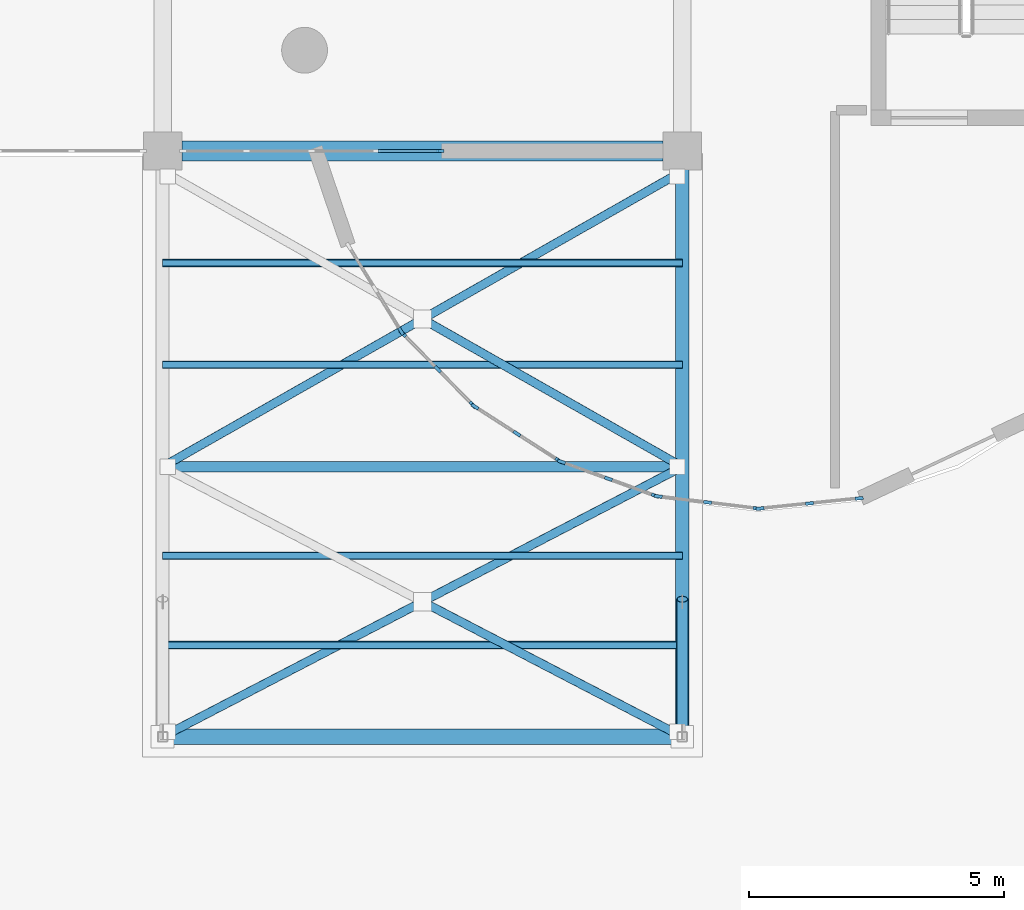
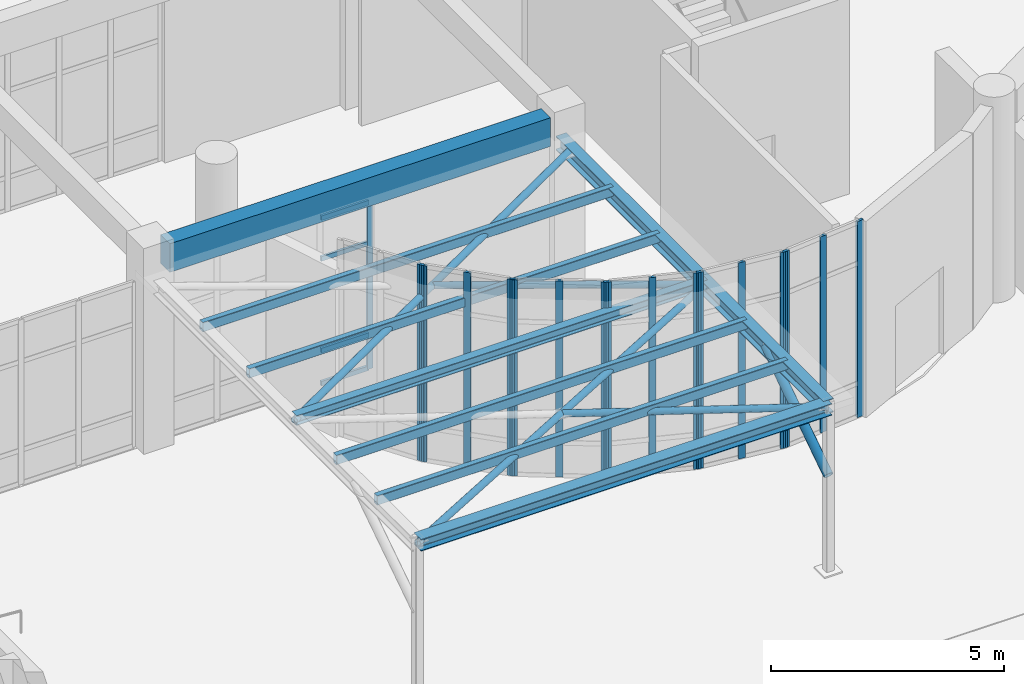
# One storey, part 10 of 70: 30 members, 4 beams, 7 elements without a shape of their own.
"""IFC4 building model written with IfcOpenShell, lengths in metres."""

from ifc_helpers import new_model, si_unit, direction, frame, origin, origin_2d, place, context, subcontext, project, spatial, rectangle, hollow_rectangle, hollow_circle, i_section, extrude, material, layer, layer_set, material_profile, profile_set, type_object, element, aggregate, save


model = new_model("IFC4")

# Units and contexts
model_context = context("Model", 3, precision=1e-05, world=origin(), true_north=direction((0.0, 1.0)))
body_context = subcontext(model_context, "Body", "Model", "MODEL_VIEW")
ifc_project = project(units=[si_unit("LENGTHUNIT", "METRE"), si_unit("AREAUNIT", "SQUARE_METRE"), si_unit("VOLUMEUNIT", "CUBIC_METRE"), si_unit("PLANEANGLEUNIT", "RADIAN"), si_unit("MASSUNIT", "GRAM", prefix="KILO")], contexts=[model_context])

# Site, building, storey
site_placement = place(None, origin())
site = spatial("IfcSite", under=ifc_project, at=site_placement, CompositionType="ELEMENT")
building_placement = place(site_placement, origin())
building = spatial("IfcBuilding", under=site, at=building_placement, Name="Miralva Faculty of Natural Sciences", CompositionType="ELEMENT")
storey_placement = place(building_placement, origin())
storey = spatial("IfcBuildingStorey", under=building, at=storey_placement, Name="L00", CompositionType="ELEMENT", Elevation=0.0)

# Beams
ifc_material_1 = material(Name="Concrete C40/50", Category="concrete")
ifc_material_profile_1 = material_profile(ifc_material_1, rectangle(XDim=0.39990234375, YDim=0.75, at=origin_2d()), Name="RC 400x750")
ifc_profile_set_1 = profile_set([ifc_material_profile_1], Name="Concrete C40/50")
beam_type_1 = type_object("IfcBeamType", Name="BM-B03", PredefinedType="BEAM", material=ifc_profile_set_1)
beam_1_placement = place(storey_placement, frame((46.574951171875, 18.0, 4.784912109375), z_axis=(1.0, 0.0, 0.0), x_axis=(0.0, 1.0, 0.0)))
element("IfcBeam", 1, at=beam_1_placement, inside=storey, type_object=beam_type_1, Name="Girder EW L00-20", PredefinedType="BEAM", context=body_context, shape_type="SweptSolid", body=[
    extrude(rectangle(XDim=0.39990234375, YDim=0.75, at=origin_2d()), origin(), (0.0, 0.0, 1.0), 9.449951171875),
])
ifc_material_2 = material(Name="Steel S355", Category="steel")
ifc_material_profile_2 = material_profile(ifc_material_2, i_section(OverallWidth=0.257080078125, OverallDepth=0.363037109375, WebThickness=0.012939453125, FlangeThickness=0.021728515625, FilletRadius=0.014892578125, at=origin_2d()), Name="W360x122")
ifc_profile_set_2 = profile_set([ifc_material_profile_2], Name="Steel S355")
beam_type_2 = type_object("IfcBeamType", Name="BM-SB01", PredefinedType="BEAM", material=ifc_profile_set_2)
beam_2_placement = place(storey_placement, frame((56.39990234375, 6.5, 4.29296875), z_axis=(0.0, 1.0, 0.0), x_axis=(-1.0, 0.0, 0.0)))
element("IfcBeam", 2, at=beam_2_placement, inside=storey, type_object=beam_type_2, Name="Canopy tie steel girder 2", PredefinedType="BEAM", context=body_context, shape_type="SweptSolid", body=[
    extrude(i_section(OverallWidth=0.257080078125, OverallDepth=0.363037109375, WebThickness=0.012939453125, FlangeThickness=0.021728515625, FilletRadius=0.014892578125, at=origin_2d()), origin(), (0.0, 0.0, 1.0), 11.5),
])
ifc_material_profile_3 = material_profile(ifc_material_2, i_section(OverallWidth=0.304931640625, OverallDepth=0.30810546875, WebThickness=0.010009765625, FlangeThickness=0.015380859375, FilletRadius=0.014892578125, at=origin_2d()), Name="W310x97")
ifc_profile_set_3 = profile_set([ifc_material_profile_3], Name="Steel S355")
beam_type_3 = type_object("IfcBeamType", Name="BM-SB02", PredefinedType="BEAM", material=ifc_profile_set_3)
beam_3_placement = place(storey_placement, frame((46.199951171875, 6.5, 4.320068359375), z_axis=(1.0, 0.0, 0.0), x_axis=(0.0, 1.0, 0.0)))
element("IfcBeam", 3, at=beam_3_placement, inside=storey, type_object=beam_type_3, Name="Canopy longitudinal steel beam 1", PredefinedType="BEAM", context=body_context, shape_type="SweptSolid", body=[
    extrude(i_section(OverallWidth=0.304931640625, OverallDepth=0.30810546875, WebThickness=0.010009765625, FlangeThickness=0.015380859375, FilletRadius=0.014892578125, at=origin_2d()), origin(), (0.0, 0.0, 1.0), 10.199951171875),
])
ifc_material_profile_4 = material_profile(ifc_material_2, i_section(OverallWidth=0.2041015625, OverallDepth=0.257080078125, WebThickness=0.0087890625, FlangeThickness=0.015625, FilletRadius=0.012939453125, at=origin_2d()), Name="W250x67")
ifc_profile_set_4 = profile_set([ifc_material_profile_4], Name="Steel S355")
beam_type_4 = type_object("IfcBeamType", Name="BM-SB03", PredefinedType="JOIST", material=ifc_profile_set_4)
beam_4_placement = place(storey_placement, frame((46.199951171875, 11.800048828125, 4.346923828125), z_axis=(1.0, 0.0, 0.0), x_axis=(0.0, 1.0, 0.0)))
element("IfcBeam", 4, at=beam_4_placement, inside=storey, type_object=beam_type_4, Name="Canopy longitudinal steel beam 2", PredefinedType="JOIST", context=body_context, shape_type="SweptSolid", body=[
    extrude(i_section(OverallWidth=0.2041015625, OverallDepth=0.257080078125, WebThickness=0.0087890625, FlangeThickness=0.015625, FilletRadius=0.012939453125, at=origin_2d()), origin(), (0.0, 0.0, 1.0), 10.199951171875),
])

# Curtain wall, members
ifc_material_3 = material(Name="Laminated solar-control glass", Category="glass")
ifc_layer_1 = layer(ifc_material_3, 0.179931640625, Name="CW-RND-L00")
ifc_layer_set_1 = layer_set([ifc_layer_1], Name="Laminated solar-control glass")
curtain_wall_type_1 = type_object("IfcCurtainWallType", Name="CW-RND-L00", PredefinedType="USERDEFINED", material=ifc_layer_set_1)
curtain_wall_1_placement = place(storey_placement, origin())
curtain_wall_1 = element("IfcCurtainWall", 5, at=curtain_wall_1_placement, inside=storey, type_object=curtain_wall_type_1, Name="Curtain wall CW-04 L00-15", ObjectType="UNITISED CURTAIN WALL", PredefinedType="USERDEFINED")
ifc_material_4 = material(Name="Anodised aluminium", Category="aluminium")
ifc_material_profile_5 = material_profile(ifc_material_4, rectangle(XDim=0.06494140625, YDim=0.159912109375, at=origin_2d()), Name="MULLION 65x160")
ifc_profile_set_5 = profile_set([ifc_material_profile_5], Name="Anodised aluminium")
member_type_1 = type_object("IfcMemberType", Name="CW-M02", PredefinedType="MULLION", material=ifc_profile_set_5)
member_1_placement = place(storey_placement, frame((57.92822265625, 10.980224609375, 0.0), z_axis=(0.0, 0.0, 1.0), x_axis=(-0.102056494477, 0.994778604482, 0.0)))
member_1 = element("IfcMember", 6, at=member_1_placement, type_object=member_type_1, Name="CW-04 mullion 1", PredefinedType="MULLION", context=body_context, shape_type="SweptSolid", body=[
    extrude(rectangle(XDim=0.06494140625, YDim=0.159912109375, at=origin_2d()), origin(), (0.0, 0.0, 1.0), 5.14990234375),
])
member_2_placement = place(storey_placement, frame((58.900634765625, 11.080078125, 0.0), z_axis=(0.0, 0.0, 1.0), x_axis=(-0.102056494477, 0.994778604482, 0.0)))
member_2 = element("IfcMember", 7, at=member_2_placement, type_object=member_type_1, Name="CW-04 mullion 2", PredefinedType="MULLION", context=body_context, shape_type="SweptSolid", body=[
    extrude(rectangle(XDim=0.06494140625, YDim=0.159912109375, at=origin_2d()), origin(), (0.0, 0.0, 1.0), 5.14990234375),
])
member_3_placement = place(storey_placement, frame((59.873291015625, 11.179931640625, 0.0), z_axis=(0.0, 0.0, 1.0), x_axis=(-0.102056494477, 0.994778604482, 0.0)))
member_3 = element("IfcMember", 8, at=member_3_placement, type_object=member_type_1, Name="CW-04 mullion 3", PredefinedType="MULLION", context=body_context, shape_type="SweptSolid", body=[
    extrude(rectangle(XDim=0.06494140625, YDim=0.159912109375, at=origin_2d()), origin(), (0.0, 0.0, 1.0), 5.14990234375),
])
aggregate(curtain_wall_1, [member_1, member_2, member_3])

curtain_wall_2_placement = place(storey_placement, origin())
curtain_wall_2 = element("IfcCurtainWall", 9, at=curtain_wall_2_placement, inside=storey, type_object=curtain_wall_type_1, Name="Curtain wall CW-04 L00-16", ObjectType="UNITISED CURTAIN WALL", PredefinedType="USERDEFINED")
member_4_placement = place(storey_placement, frame((55.927734375, 11.21875, 0.0), z_axis=(0.0, 0.0, 1.0), x_axis=(0.121859649701, 0.99254734183, 0.0)))
member_4 = element("IfcMember", 10, at=member_4_placement, type_object=member_type_1, Name="CW-04 mullion 1", PredefinedType="MULLION", context=body_context, shape_type="SweptSolid", body=[
    extrude(rectangle(XDim=0.06494140625, YDim=0.159912109375, at=origin_2d()), origin(), (0.0, 0.0, 1.0), 5.14990234375),
])
member_5_placement = place(storey_placement, frame((56.898193359375, 11.099609375, 0.0), z_axis=(0.0, 0.0, 1.0), x_axis=(0.121859649701, 0.99254734183, 0.0)))
member_5 = element("IfcMember", 11, at=member_5_placement, type_object=member_type_1, Name="CW-04 mullion 2", PredefinedType="MULLION", context=body_context, shape_type="SweptSolid", body=[
    extrude(rectangle(XDim=0.06494140625, YDim=0.159912109375, at=origin_2d()), origin(), (0.0, 0.0, 1.0), 5.14990234375),
])
member_6_placement = place(storey_placement, frame((57.86865234375, 10.98046875, 0.0), z_axis=(0.0, 0.0, 1.0), x_axis=(0.121859649701, 0.99254734183, 0.0)))
member_6 = element("IfcMember", 12, at=member_6_placement, type_object=member_type_1, Name="CW-04 mullion 3", PredefinedType="MULLION", context=body_context, shape_type="SweptSolid", body=[
    extrude(rectangle(XDim=0.06494140625, YDim=0.159912109375, at=origin_2d()), origin(), (0.0, 0.0, 1.0), 5.14990234375),
])
aggregate(curtain_wall_2, [member_4, member_5, member_6])

curtain_wall_3_placement = place(storey_placement, origin())
curtain_wall_3 = element("IfcCurtainWall", 13, at=curtain_wall_3_placement, inside=storey, type_object=curtain_wall_type_1, Name="Curtain wall CW-04 L00-17", ObjectType="UNITISED CURTAIN WALL", PredefinedType="USERDEFINED")
member_7_placement = place(storey_placement, frame((54.030517578125, 11.896240234375, 0.0), z_axis=(0.0, 0.0, 1.0), x_axis=(0.339695547876, 0.940535451088, 0.0)))
member_7 = element("IfcMember", 14, at=member_7_placement, type_object=member_type_1, Name="CW-04 mullion 1", PredefinedType="MULLION", context=body_context, shape_type="SweptSolid", body=[
    extrude(rectangle(XDim=0.06494140625, YDim=0.159912109375, at=origin_2d()), origin(), (0.0, 0.0, 1.0), 5.14990234375),
])
member_8_placement = place(storey_placement, frame((54.9501953125, 11.56396484375, 0.0), z_axis=(0.0, 0.0, 1.0), x_axis=(0.339695547876, 0.940535451088, 0.0)))
member_8 = element("IfcMember", 15, at=member_8_placement, type_object=member_type_1, Name="CW-04 mullion 2", PredefinedType="MULLION", context=body_context, shape_type="SweptSolid", body=[
    extrude(rectangle(XDim=0.06494140625, YDim=0.159912109375, at=origin_2d()), origin(), (0.0, 0.0, 1.0), 5.14990234375),
])
member_9_placement = place(storey_placement, frame((55.86962890625, 11.23193359375, 0.0), z_axis=(0.0, 0.0, 1.0), x_axis=(0.339695547876, 0.940535451088, 0.0)))
member_9 = element("IfcMember", 16, at=member_9_placement, type_object=member_type_1, Name="CW-04 mullion 3", PredefinedType="MULLION", context=body_context, shape_type="SweptSolid", body=[
    extrude(rectangle(XDim=0.06494140625, YDim=0.159912109375, at=origin_2d()), origin(), (0.0, 0.0, 1.0), 5.14990234375),
])
aggregate(curtain_wall_3, [member_7, member_8, member_9])

curtain_wall_4_placement = place(storey_placement, origin())
curtain_wall_4 = element("IfcCurtainWall", 17, at=curtain_wall_4_placement, inside=storey, type_object=curtain_wall_type_1, Name="Curtain wall CW-04 L00-18", ObjectType="UNITISED CURTAIN WALL", PredefinedType="USERDEFINED")
member_10_placement = place(storey_placement, frame((52.33154296875, 12.978759765625, 0.0), z_axis=(0.0, 0.0, 1.0), x_axis=(0.540444854725, 0.841379438185, 0.0)))
member_10 = element("IfcMember", 18, at=member_10_placement, type_object=member_type_1, Name="CW-04 mullion 1", PredefinedType="MULLION", context=body_context, shape_type="SweptSolid", body=[
    extrude(rectangle(XDim=0.06494140625, YDim=0.159912109375, at=origin_2d()), origin(), (0.0, 0.0, 1.0), 5.14990234375),
])
member_11_placement = place(storey_placement, frame((53.154296875, 12.450439453125, 0.0), z_axis=(0.0, 0.0, 1.0), x_axis=(0.540444854725, 0.841379438185, 0.0)))
member_11 = element("IfcMember", 19, at=member_11_placement, type_object=member_type_1, Name="CW-04 mullion 2", PredefinedType="MULLION", context=body_context, shape_type="SweptSolid", body=[
    extrude(rectangle(XDim=0.06494140625, YDim=0.159912109375, at=origin_2d()), origin(), (0.0, 0.0, 1.0), 5.14990234375),
])
member_12_placement = place(storey_placement, frame((53.976806640625, 11.922119140625, 0.0), z_axis=(0.0, 0.0, 1.0), x_axis=(0.540444854725, 0.841379438185, 0.0)))
member_12 = element("IfcMember", 20, at=member_12_placement, type_object=member_type_1, Name="CW-04 mullion 3", PredefinedType="MULLION", context=body_context, shape_type="SweptSolid", body=[
    extrude(rectangle(XDim=0.06494140625, YDim=0.159912109375, at=origin_2d()), origin(), (0.0, 0.0, 1.0), 5.14990234375),
])
aggregate(curtain_wall_4, [member_10, member_11, member_12])

curtain_wall_5_placement = place(storey_placement, origin())
curtain_wall_5 = element("IfcCurtainWall", 21, at=curtain_wall_5_placement, inside=storey, type_object=curtain_wall_type_1, Name="Curtain wall CW-04 L00-19", ObjectType="UNITISED CURTAIN WALL", PredefinedType="USERDEFINED")
member_13_placement = place(storey_placement, frame((50.916259765625, 14.412353515625, 0.0), z_axis=(0.0, 0.0, 1.0), x_axis=(0.714124749017, 0.700018458929, 0.0)))
member_13 = element("IfcMember", 22, at=member_13_placement, type_object=member_type_1, Name="CW-04 mullion 1", PredefinedType="MULLION", context=body_context, shape_type="SweptSolid", body=[
    extrude(rectangle(XDim=0.06494140625, YDim=0.159912109375, at=origin_2d()), origin(), (0.0, 0.0, 1.0), 5.14990234375),
])
member_14_placement = place(storey_placement, frame((51.6005859375, 13.714111328125, 0.0), z_axis=(0.0, 0.0, 1.0), x_axis=(0.714124749017, 0.700018458929, 0.0)))
member_14 = element("IfcMember", 23, at=member_14_placement, type_object=member_type_1, Name="CW-04 mullion 2", PredefinedType="MULLION", context=body_context, shape_type="SweptSolid", body=[
    extrude(rectangle(XDim=0.06494140625, YDim=0.159912109375, at=origin_2d()), origin(), (0.0, 0.0, 1.0), 5.14990234375),
])
member_15_placement = place(storey_placement, frame((52.28515625, 13.01611328125, 0.0), z_axis=(0.0, 0.0, 1.0), x_axis=(0.714124749017, 0.700018458929, 0.0)))
member_15 = element("IfcMember", 24, at=member_15_placement, type_object=member_type_1, Name="CW-04 mullion 3", PredefinedType="MULLION", context=body_context, shape_type="SweptSolid", body=[
    extrude(rectangle(XDim=0.06494140625, YDim=0.159912109375, at=origin_2d()), origin(), (0.0, 0.0, 1.0), 5.14990234375),
])
aggregate(curtain_wall_5, [member_13, member_14, member_15])

# Curtain wall, member
curtain_wall_6_placement = place(storey_placement, origin())
curtain_wall_6 = element("IfcCurtainWall", 25, at=curtain_wall_6_placement, inside=storey, type_object=curtain_wall_type_1, Name="Curtain wall CW-04 L00-20", ObjectType="UNITISED CURTAIN WALL", PredefinedType="USERDEFINED")
member_16_placement = place(storey_placement, frame((50.879150390625, 14.458984375, 0.0), z_axis=(0.0, 0.0, 1.0), x_axis=(0.851994617353, 0.523550543884, 0.0)))
member_16 = element("IfcMember", 26, at=member_16_placement, type_object=member_type_1, Name="CW-04 mullion 3", PredefinedType="MULLION", context=body_context, shape_type="SweptSolid", body=[
    extrude(rectangle(XDim=0.06494140625, YDim=0.159912109375, at=origin_2d()), origin(), (0.0, 0.0, 1.0), 5.14990234375),
])
aggregate(curtain_wall_6, [member_16])

# Curtain wall, members
ifc_layer_2 = layer(ifc_material_3, 0.179931640625, Name="CW-COM-L01")
ifc_layer_set_2 = layer_set([ifc_layer_2], Name="Laminated solar-control glass")
curtain_wall_type_2 = type_object("IfcCurtainWallType", Name="CW-COM-L01", PredefinedType="USERDEFINED", material=ifc_layer_set_2)
curtain_wall_7_placement = place(storey_placement, origin())
curtain_wall_7 = element("IfcCurtainWall", 27, at=curtain_wall_7_placement, inside=storey, type_object=curtain_wall_type_2, Name="Curtain wall CW-10 L00-283", ObjectType="UNITISED CURTAIN WALL", PredefinedType="USERDEFINED")
ifc_material_profile_6 = material_profile(ifc_material_4, rectangle(XDim=0.06005859375, YDim=0.139892578125, at=origin_2d()), Name="MULLION 60x140")
ifc_profile_set_6 = profile_set([ifc_material_profile_6], Name="Anodised aluminium")
member_type_2 = type_object("IfcMemberType", Name="CW-M03", PredefinedType="MULLION", material=ifc_profile_set_6)
member_17_placement = place(storey_placement, frame((51.64990234375, 18.0, 0.0), z_axis=(0.0, 0.0, 1.0), x_axis=(0.0, 1.0, 0.0)))
member_17 = element("IfcMember", 28, at=member_17_placement, type_object=member_type_2, Name="CW-10 mullion 5", PredefinedType="MULLION", context=body_context, shape_type="SweptSolid", body=[
    extrude(rectangle(XDim=0.06005859375, YDim=0.139892578125, at=origin_2d()), origin(), (0.0, 0.0, 1.0), 4.405029296875),
])
ifc_material_profile_7 = material_profile(ifc_material_4, rectangle(XDim=0.06005859375, YDim=0.1201171875, at=origin_2d()), Name="TRANSOM 60x120")
ifc_profile_set_7 = profile_set([ifc_material_profile_7], Name="Anodised aluminium")
member_type_3 = type_object("IfcMemberType", Name="CW-T02", PredefinedType="USERDEFINED", material=ifc_profile_set_7)
member_18_placement = place(storey_placement, frame((50.43115234375, 18.0, 0.030029296875), z_axis=(1.0, 0.0, 0.0), x_axis=(0.0, 1.0, 0.0)))
member_18 = element("IfcMember", 29, at=member_18_placement, type_object=member_type_3, Name="CW-10 transom 4.1", ObjectType="TRANSOM", PredefinedType="USERDEFINED", context=body_context, shape_type="SweptSolid", body=[
    extrude(rectangle(XDim=0.06005859375, YDim=0.1201171875, at=origin_2d()), origin(), (0.0, 0.0, 1.0), 1.18896484375),
])
member_19_placement = place(storey_placement, frame((50.43115234375, 18.0, 0.89990234375), z_axis=(1.0, 0.0, 0.0), x_axis=(0.0, 1.0, 0.0)))
member_19 = element("IfcMember", 30, at=member_19_placement, type_object=member_type_3, Name="CW-10 transom 4.2", ObjectType="TRANSOM", PredefinedType="USERDEFINED", context=body_context, shape_type="SweptSolid", body=[
    extrude(rectangle(XDim=0.06005859375, YDim=0.1201171875, at=origin_2d()), origin(), (0.0, 0.0, 1.0), 1.18896484375),
])
member_20_placement = place(storey_placement, frame((50.43115234375, 18.0, 3.304931640625), z_axis=(1.0, 0.0, 0.0), x_axis=(0.0, 1.0, 0.0)))
member_20 = element("IfcMember", 31, at=member_20_placement, type_object=member_type_3, Name="CW-10 transom 4.3", ObjectType="TRANSOM", PredefinedType="USERDEFINED", context=body_context, shape_type="SweptSolid", body=[
    extrude(rectangle(XDim=0.06005859375, YDim=0.1201171875, at=origin_2d()), origin(), (0.0, 0.0, 1.0), 1.18896484375),
])
member_21_placement = place(storey_placement, frame((50.43115234375, 18.0, 4.375), z_axis=(1.0, 0.0, 0.0), x_axis=(0.0, 1.0, 0.0)))
member_21 = element("IfcMember", 32, at=member_21_placement, type_object=member_type_3, Name="CW-10 transom 4.4", ObjectType="TRANSOM", PredefinedType="USERDEFINED", context=body_context, shape_type="SweptSolid", body=[
    extrude(rectangle(XDim=0.06005859375, YDim=0.1201171875, at=origin_2d()), origin(), (0.0, 0.0, 1.0), 1.18896484375),
])
aggregate(curtain_wall_7, [member_17, member_18, member_19, member_20, member_21])

# Members
ifc_material_profile_8 = material_profile(ifc_material_2, hollow_circle(Radius=0.084228515625, WallThickness=0.008056640625, at=origin_2d()), Name="CHS 168.3x8")
ifc_profile_set_8 = profile_set([ifc_material_profile_8], Name="Steel S355")
member_type_4 = type_object("IfcMemberType", Name="MEM-BR02", PredefinedType="BRACE", material=ifc_profile_set_8)
member_22_placement = place(storey_placement, frame((46.199951171875, 6.5, 4.300048828125), z_axis=(0.887356554663, 0.461083880542, 0.0), x_axis=(-0.461083880542, 0.887356554663, 0.0)))
element("IfcMember", 33, at=member_22_placement, inside=storey, type_object=member_type_4, Name="Canopy continuous plan brace 1A", PredefinedType="BRACE", context=body_context, shape_type="SweptSolid", body=[
    extrude(hollow_circle(Radius=0.084228515625, WallThickness=0.008056640625, at=origin_2d()), origin(), (0.0, 0.0, 1.0), 11.494873046875),
])
member_23_placement = place(storey_placement, frame((51.300048828125, 9.14990234375, 4.300048828125), z_axis=(0.887360729276, -0.461075846405, 0.0), x_axis=(0.461075846405, 0.887360729276, 0.0)))
element("IfcMember", 34, at=member_23_placement, inside=storey, type_object=member_type_4, Name="Canopy split plan brace 1B2", PredefinedType="BRACE", context=body_context, shape_type="SweptSolid", body=[
    extrude(hollow_circle(Radius=0.084228515625, WallThickness=0.008056640625, at=origin_2d()), origin(), (0.0, 0.0, 1.0), 5.747314453125),
])
member_24_placement = place(storey_placement, frame((46.199951171875, 11.800048828125, 4.300048828125), z_axis=(0.869287314046, 0.494307157179, 0.0), x_axis=(-0.494307157179, 0.869287314046, 0.0)))
element("IfcMember", 35, at=member_24_placement, inside=storey, type_object=member_type_4, Name="Canopy continuous plan brace 2A", PredefinedType="BRACE", context=body_context, shape_type="SweptSolid", body=[
    extrude(hollow_circle(Radius=0.084228515625, WallThickness=0.008056640625, at=origin_2d()), origin(), (0.0, 0.0, 1.0), 11.733642578125),
])
member_25_placement = place(storey_placement, frame((51.300048828125, 14.699951171875, 4.300048828125), z_axis=(0.869291170781, -0.494300374673, 0.0), x_axis=(0.494300374673, 0.869291170781, 0.0)))
element("IfcMember", 36, at=member_25_placement, inside=storey, type_object=member_type_4, Name="Canopy split plan brace 2B2", PredefinedType="BRACE", context=body_context, shape_type="SweptSolid", body=[
    extrude(hollow_circle(Radius=0.084228515625, WallThickness=0.008056640625, at=origin_2d()), origin(), (0.0, 0.0, 1.0), 5.86669921875),
])
ifc_material_profile_9 = material_profile(ifc_material_2, hollow_rectangle(XDim=0.14990234375, YDim=0.25, WallThickness=0.010009765625, InnerFilletRadius=0.010009765625, OuterFilletRadius=0.02001953125, at=origin_2d()), Name="HSS 250x150x10")
ifc_profile_set_9 = profile_set([ifc_material_profile_9], Name="Steel S355")
member_type_5 = type_object("IfcMemberType", Name="MEM-PU01", PredefinedType="PURLIN", material=ifc_profile_set_9)
for number, where, z_axis, x_axis, name in (
    (37, (46.199951171875, 8.300048828125, 4.35009765625), (1.0, 0.0, 0.0), (0.0, 1.0, 0.0), "Canopy steel purlin 1"),
    (38, (46.199951171875, 10.050048828125, 4.35009765625), (1.0, 0.0, 0.0), (0.0, 1.0, 0.0), "Canopy steel purlin 2"),
    (39, (46.199951171875, 13.800048828125, 4.35009765625), (1.0, 0.0, 0.0), (0.0, 1.0, 0.0), "Canopy steel purlin 3"),
    (40, (46.199951171875, 15.800048828125, 4.35009765625), (1.0, 0.0, 0.0), (0.0, 1.0, 0.0), "Canopy steel purlin 4"),
):
    element("IfcMember", number, at=place(storey_placement, frame(where, z_axis=z_axis, x_axis=x_axis)), inside=storey, type_object=member_type_5, Name=name, PredefinedType="PURLIN", context=body_context, shape_type="SweptSolid", body=[
        extrude(hollow_rectangle(XDim=0.14990234375, YDim=0.25, WallThickness=0.010009765625, InnerFilletRadius=0.010009765625, OuterFilletRadius=0.02001953125, at=origin_2d()), origin(), (0.0, 0.0, 1.0), 10.199951171875),
    ])
ifc_material_profile_10 = material_profile(ifc_material_2, hollow_circle(Radius=0.109619140625, WallThickness=0.010009765625, at=origin_2d()), Name="CHS 219.1x10")
ifc_profile_set_10 = profile_set([ifc_material_profile_10], Name="Steel S355")
member_type_6 = type_object("IfcMemberType", Name="MEM-ST01", PredefinedType="STRUT", material=ifc_profile_set_10)
member_26_placement = place(storey_placement, frame((56.39990234375, 6.5, 2.5), z_axis=(0.0, 0.834884878329, 0.550424599684), x_axis=(-1.0, 0.0, 0.0)))
element("IfcMember", 41, at=member_26_placement, inside=storey, type_object=member_type_6, Name="Canopy tubular steel strut 2A", PredefinedType="STRUT", context=body_context, shape_type="SweptSolid", body=[
    extrude(hollow_circle(Radius=0.109619140625, WallThickness=0.010009765625, at=origin_2d()), origin(), (0.0, 0.0, 1.0), 3.23388671875),
])

save(model, "model.ifc")
